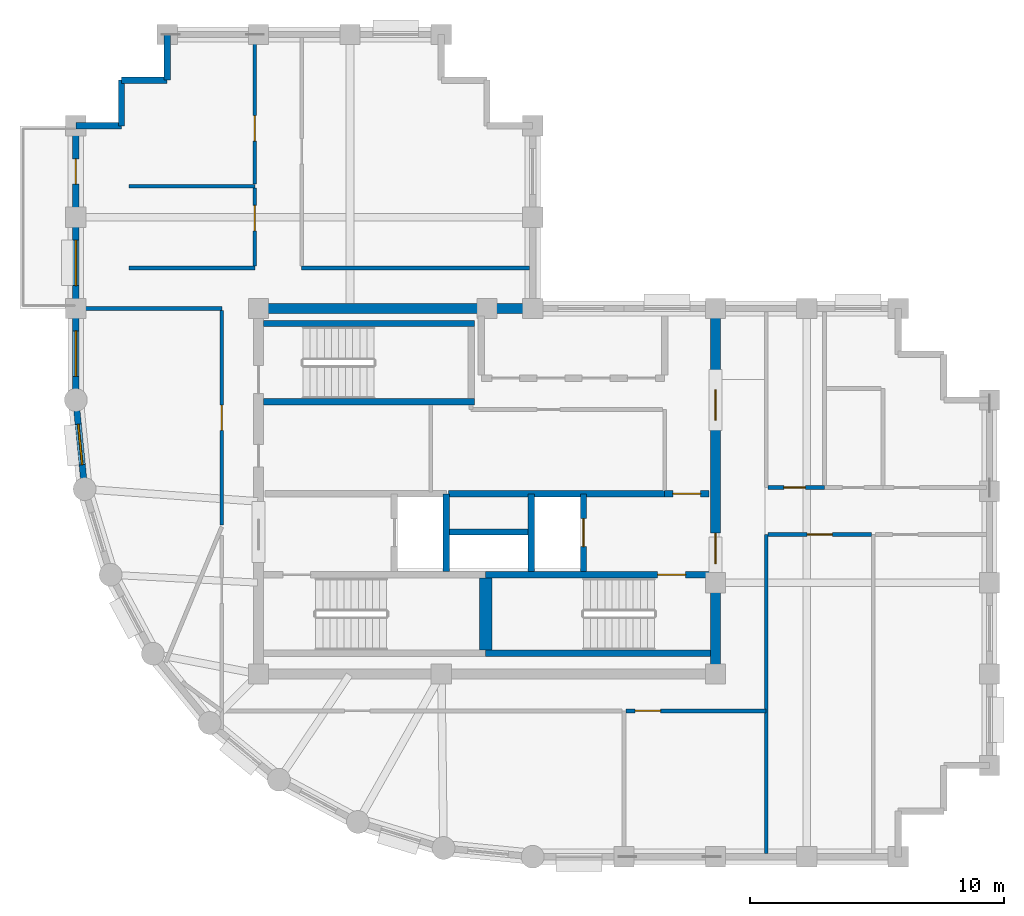
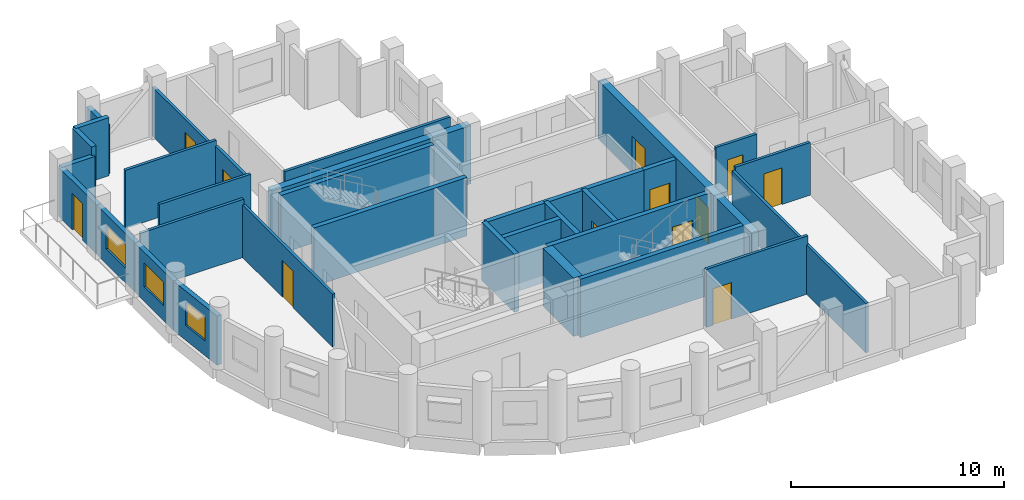
# One storey, part 3 of 7: 32 walls, 12 doors, 3 windows, 15 openings.
"""IFC4 building model written with IfcOpenShell, lengths in metres."""

from ifc_helpers import new_model, si_unit, direction, frame, frame_2d, origin, place, context, subcontext, project, spatial, rectangle, extrude, material, layer, layer_set, type_object, element, fill, save


model = new_model("IFC4")

# Units and contexts
model_context = context("Model", 3, precision=1e-05, world=origin(), true_north=direction((0.0, 1.0)))
body_context = subcontext(model_context, "Body", "Model", "MODEL_VIEW")
ifc_project = project(units=[si_unit("LENGTHUNIT", "METRE"), si_unit("AREAUNIT", "SQUARE_METRE"), si_unit("VOLUMEUNIT", "CUBIC_METRE"), si_unit("PLANEANGLEUNIT", "RADIAN"), si_unit("MASSUNIT", "GRAM", prefix="KILO")], contexts=[model_context])

# Site, building, storey
site_placement = place(None, origin())
site = spatial("IfcSite", under=ifc_project, at=site_placement, CompositionType="ELEMENT")
building_placement = place(site_placement, origin())
building = spatial("IfcBuilding", under=site, at=building_placement, Name="Solnavia Interchange Tower", CompositionType="ELEMENT")
storey_placement = place(building_placement, frame((0.0, 0.0, 266.60009765625)))
storey = spatial("IfcBuildingStorey", under=building, at=storey_placement, Name="L67", CompositionType="ELEMENT", Elevation=266.60009765625)

# Walls
ifc_material_1 = material(Name="Concrete C40/50", Category="concrete")
ifc_layer_1 = layer(ifc_material_1, 0.25)
ifc_layer_set_1 = layer_set([ifc_layer_1], Name="Concrete C40/50")
wall_type_1 = type_object("IfcWallType", Name="Wall-ExtSpandrel-250", PredefinedType="STANDARD", material=ifc_layer_set_1)
wall_1_placement = place(storey_placement, frame((10.800048828125, 34.199951171875, 0.0), z_axis=(0.0, 0.0, 1.0), x_axis=(0.0, 1.0, 0.0)))
element("IfcWall", 1, at=wall_1_placement, inside=storey, type_object=wall_type_1, Name="EXW-L67-30 Exterior precast spandrel wall", PredefinedType="STANDARD", context=body_context, shape_type="SweptSolid", body=[
    extrude(rectangle(XDim=1.800048828125, YDim=0.25, at=frame_2d((0.89990234375, 0.0))), origin(), (0.0, 0.0, 1.0), 2.829833984375),
])
for number, where, z_axis, x_axis, name in (
    (2, (9.0, 34.199951171875, 0.0), (0.0, 0.0, 1.0), (1.0, 0.0, 0.0), "EXW-L67-31 Exterior precast spandrel wall"),
    (3, (9.0, 32.39990234375, 0.0), (0.0, 0.0, 1.0), (0.0, 1.0, 0.0), "EXW-L67-32 Exterior precast spandrel wall"),
):
    element("IfcWall", number, at=place(storey_placement, frame(where, z_axis=z_axis, x_axis=x_axis)), inside=storey, type_object=wall_type_1, Name=name, PredefinedType="STANDARD", context=body_context, shape_type="SweptSolid", body=[
        extrude(rectangle(XDim=1.800048828125, YDim=0.25, at=frame_2d((0.89990234375, 0.0))), origin(), (0.0, 0.0, 1.0), 3.3349609375),
    ])
wall_2_placement = place(storey_placement, frame((7.199951171875, 32.39990234375, 0.0), z_axis=(0.0, 0.0, 1.0), x_axis=(1.0, 0.0, 0.0)))
element("IfcWall", 4, at=wall_2_placement, inside=storey, type_object=wall_type_1, Name="EXW-L67-33 Exterior precast spandrel wall", PredefinedType="STANDARD", context=body_context, shape_type="SweptSolid", body=[
    extrude(rectangle(XDim=1.800048828125, YDim=0.25, at=frame_2d((0.89990234375, 0.0))), origin(), (0.0, 0.0, 1.0), 2.829833984375),
])

# Wall, opening, door
wall_3_placement = place(storey_placement, frame((7.199951171875, 28.800048828125, 0.0), z_axis=(0.0, 0.0, 1.0), x_axis=(0.0, 1.0, 0.0)))
wall_3 = element("IfcWall", 5, at=wall_3_placement, inside=storey, type_object=wall_type_1, Name="EXW-L67-34 Exterior precast spandrel wall", PredefinedType="STANDARD", context=body_context, shape_type="SweptSolid", body=[
    extrude(rectangle(XDim=3.599853515625, YDim=0.25, at=frame_2d((1.7998046875, 0.0))), origin(), (0.0, 0.0, 1.0), 2.829833984375),
])
opening_1_placement = place(wall_3_placement, frame((1.300048828125, 0.0, 0.0)))
opening_1 = element("IfcOpeningElement", 6, at=opening_1_placement, cuts=wall_3, Name="Opening EXD-05", PredefinedType="OPENING", context=body_context, shape_type="SweptSolid", body=[
    extrude(rectangle(XDim=1.0, YDim=2.10009765625, at=frame_2d((0.5, 1.050048828125))), frame((0.0, 0.135009765625, 0.0), z_axis=(0.0, -1.0, 0.0), x_axis=(1.0, 0.0, 0.0)), (0.0, 0.0, 1.0), 0.27001953125),
])
ifc_material_2 = material(Name="Thermally Broken Aluminium & Laminated Glass", Category="aluminium")
door_type_1 = type_object("IfcDoorType", Name="Door-TerraceSingle-1000x2100", OperationType="SINGLE_SWING_LEFT", PredefinedType="DOOR", material=ifc_material_2)
door_1_placement = place(opening_1_placement, origin())
door_1 = element("IfcDoor", 7, at=door_1_placement, inside=storey, type_object=door_type_1, Name="EXD-L67-TER Spiral terrace glazed door", OperationType="SINGLE_SWING_LEFT", OverallHeight=2.10009765625, OverallWidth=1.0, PredefinedType="DOOR", context=body_context, shape_type="SweptSolid", body=[
    extrude(rectangle(XDim=1.0, YDim=2.10009765625, at=frame_2d((0.5, 1.050048828125))), frame((0.0, 0.02490234375, 0.0), z_axis=(0.0, -1.0, 0.0), x_axis=(1.0, 0.0, 0.0)), (0.0, 0.0, 1.0), 0.050048828125),
])
fill(opening_1, door_1)

# Wall, opening, window
wall_4_placement = place(storey_placement, frame((7.199951171875, 25.199951171875, 0.0), z_axis=(0.0, 0.0, 1.0), x_axis=(0.0, 1.0, 0.0)))
wall_4 = element("IfcWall", 8, at=wall_4_placement, inside=storey, type_object=wall_type_1, Name="EXW-L67-35 Exterior precast spandrel wall", PredefinedType="STANDARD", context=body_context, shape_type="SweptSolid", body=[
    extrude(rectangle(XDim=3.60009765625, YDim=0.25, at=frame_2d((1.800048828125, 0.0))), origin(), (0.0, 0.0, 1.0), 2.829833984375),
])
opening_2_placement = place(wall_4_placement, frame((0.89990234375, 0.0, 0.85009765625)))
opening_2 = element("IfcOpeningElement", 9, at=opening_2_placement, cuts=wall_4, Name="Opening WIN-02", PredefinedType="OPENING", context=body_context, shape_type="SweptSolid", body=[
    extrude(rectangle(XDim=1.800048828125, YDim=1.35009765625, at=frame_2d((0.89990234375, 0.675048828125))), frame((0.0, 0.135009765625, 0.0), z_axis=(0.0, -1.0, 0.0), x_axis=(1.0, 0.0, 0.0)), (0.0, 0.0, 1.0), 0.27001953125),
])
ifc_material_3 = material(Name="Thermal-Break Aluminium & Low-E Glass", Category="aluminium")
window_type_1 = type_object("IfcWindowType", Name="Window-Ribbon-1800x1350", PartitioningType="SINGLE_PANEL", PredefinedType="WINDOW", material=ifc_material_3)
window_1_placement = place(opening_2_placement, origin())
window_1 = element("IfcWindow", 10, at=window_1_placement, inside=storey, type_object=window_type_1, Name="WIN-L67-35 Facade ribbon window", OverallHeight=1.35009765625, OverallWidth=1.800048828125, PartitioningType="SINGLE_PANEL", PredefinedType="WINDOW", context=body_context, shape_type="SweptSolid", body=[
    extrude(rectangle(XDim=1.800048828125, YDim=1.35009765625, at=frame_2d((0.89990234375, 0.675048828125))), frame((0.0, 0.030029296875, 0.0), z_axis=(0.0, -1.0, 0.0), x_axis=(1.0, 0.0, 0.0)), (0.0, 0.0, 1.0), 0.06005859375),
])
fill(opening_2, window_1)

wall_5_placement = place(storey_placement, frame((7.199951171875, 21.60009765625, 0.0), z_axis=(0.0, 0.0, 1.0), x_axis=(0.0, 1.0, 0.0)))
wall_5 = element("IfcWall", 11, at=wall_5_placement, inside=storey, type_object=wall_type_1, Name="EXW-L67-36 Exterior precast spandrel wall", PredefinedType="STANDARD", context=body_context, shape_type="SweptSolid", body=[
    extrude(rectangle(XDim=3.599853515625, YDim=0.25, at=frame_2d((1.7998046875, 0.0))), origin(), (0.0, 0.0, 1.0), 2.829833984375),
])
opening_3_placement = place(wall_5_placement, frame((0.925048828125, 0.0, 0.85009765625)))
opening_3 = element("IfcOpeningElement", 12, at=opening_3_placement, cuts=wall_5, Name="Opening WIN-02", PredefinedType="OPENING", context=body_context, shape_type="SweptSolid", body=[
    extrude(rectangle(XDim=1.800048828125, YDim=1.35009765625, at=frame_2d((0.89990234375, 0.675048828125))), frame((0.0, 0.135009765625, 0.0), z_axis=(0.0, -1.0, 0.0), x_axis=(1.0, 0.0, 0.0)), (0.0, 0.0, 1.0), 0.27001953125),
])
window_2_placement = place(opening_3_placement, origin())
window_2 = element("IfcWindow", 13, at=window_2_placement, inside=storey, type_object=window_type_1, Name="WIN-L67-36 Facade ribbon window", OverallHeight=1.35009765625, OverallWidth=1.800048828125, PartitioningType="SINGLE_PANEL", PredefinedType="WINDOW", context=body_context, shape_type="SweptSolid", body=[
    extrude(rectangle(XDim=1.800048828125, YDim=1.35009765625, at=frame_2d((0.89990234375, 0.675048828125))), frame((0.0, 0.030029296875, 0.0), z_axis=(0.0, -1.0, 0.0), x_axis=(1.0, 0.0, 0.0)), (0.0, 0.0, 1.0), 0.06005859375),
])
fill(opening_3, window_2)

wall_6_placement = place(storey_placement, frame((7.5458984375, 18.087890625, 0.0), z_axis=(0.0, 0.0, 1.0), x_axis=(-0.09802417461, 0.995184033831, 0.0)))
wall_6 = element("IfcWall", 14, at=wall_6_placement, inside=storey, type_object=wall_type_1, Name="EXW-L67-37 Exterior precast spandrel wall", PredefinedType="STANDARD", context=body_context, shape_type="SweptSolid", body=[
    extrude(rectangle(XDim=3.529296875, YDim=0.25, at=frame_2d((1.7646484375, 0.0))), origin(), (0.0, 0.0, 1.0), 2.829833984375),
])
opening_4_placement = place(wall_6_placement, frame((0.965087890625, 0.0, 0.85009765625)))
opening_4 = element("IfcOpeningElement", 15, at=opening_4_placement, cuts=wall_6, Name="Opening WIN-04", PredefinedType="OPENING", context=body_context, shape_type="SweptSolid", body=[
    extrude(rectangle(XDim=1.60009765625, YDim=1.35009765625, at=frame_2d((0.800048828125, 0.675048828125))), frame((0.0, 0.135009765625, 0.0), z_axis=(0.0, -1.0, 0.0), x_axis=(1.0, 0.0, 0.0)), (0.0, 0.0, 1.0), 0.27001953125),
])
window_type_2 = type_object("IfcWindowType", Name="Window-Drum-1600x1350", PartitioningType="SINGLE_PANEL", PredefinedType="WINDOW", material=ifc_material_3)
window_3_placement = place(opening_4_placement, origin())
window_3 = element("IfcWindow", 16, at=window_3_placement, inside=storey, type_object=window_type_2, Name="WIN-L67-37 Facade ribbon window", OverallHeight=1.35009765625, OverallWidth=1.60009765625, PartitioningType="SINGLE_PANEL", PredefinedType="WINDOW", context=body_context, shape_type="SweptSolid", body=[
    extrude(rectangle(XDim=1.60009765625, YDim=1.35009765625, at=frame_2d((0.800048828125, 0.675048828125))), frame((0.0, 0.030029296875, 0.0), z_axis=(0.0, -1.0, 0.0), x_axis=(1.0, 0.0, 0.0)), (0.0, 0.0, 1.0), 0.06005859375),
])
fill(opening_4, window_3)

# Wall
ifc_material_4 = material(Name="Gypsum Plasterboard & Steel Stud", Category="steel")
ifc_layer_2 = layer(ifc_material_4, 0.14990234375)
ifc_layer_set_2 = layer_set([ifc_layer_2], Name="Gypsum Plasterboard & Steel Stud")
wall_type_2 = type_object("IfcWallType", Name="Wall-Partition-150", PredefinedType="PARTITIONING", material=ifc_layer_set_2)
wall_7_placement = place(storey_placement, frame((7.3291015625, 25.199951171875, 0.0), z_axis=(0.0, 0.0, 1.0), x_axis=(1.0, 0.0, 0.0)))
element("IfcWall", 17, at=wall_7_placement, inside=storey, type_object=wall_type_2, Name="PTW-L67-07 Interior partition wall", PredefinedType="PARTITIONING", context=body_context, shape_type="SweptSolid", body=[
    extrude(rectangle(XDim=5.620849609375, YDim=0.14990234375, at=frame_2d((2.810546875, 0.0))), origin(), (0.0, 0.0, 1.0), 3.3349609375),
])

# Wall, opening, door
wall_8_placement = place(storey_placement, frame((12.949951171875, 16.678955078125, 0.0), z_axis=(0.0, 0.0, 1.0), x_axis=(0.0, 1.0, 0.0)))
wall_8 = element("IfcWall", 18, at=wall_8_placement, inside=storey, type_object=wall_type_2, Name="PTW-L67-11 Interior partition wall", PredefinedType="PARTITIONING", context=body_context, shape_type="SweptSolid", body=[
    extrude(rectangle(XDim=8.442138671875, YDim=0.14990234375, at=frame_2d((4.22119140625, 0.0))), origin(), (0.0, 0.0, 1.0), 3.02001953125),
])
opening_5_placement = place(wall_8_placement, frame((3.720947265625, 0.0, 0.0)))
opening_5 = element("IfcOpeningElement", 19, at=opening_5_placement, cuts=wall_8, Name="Opening DR-07", PredefinedType="OPENING", context=body_context, shape_type="SweptSolid", body=[
    extrude(rectangle(XDim=1.0, YDim=2.10009765625, at=frame_2d((0.5, 1.050048828125))), frame((0.0, 0.0849609375, 0.0), z_axis=(0.0, -1.0, 0.0), x_axis=(1.0, 0.0, 0.0)), (0.0, 0.0, 1.0), 0.169921875),
])
ifc_material_5 = material(Name="Timber & Acoustic Glazed Office Door", Category="wood")
door_type_2 = type_object("IfcDoorType", Name="Door-Office-1000x2100", OperationType="SINGLE_SWING_RIGHT", PredefinedType="DOOR", material=ifc_material_5)
door_2_placement = place(opening_5_placement, origin())
door_2 = element("IfcDoor", 20, at=door_2_placement, inside=storey, type_object=door_type_2, Name="DR-L67-03 Interior room door", OperationType="SINGLE_SWING_LEFT", OverallHeight=2.10009765625, OverallWidth=1.0, PredefinedType="DOOR", context=body_context, shape_type="SweptSolid", body=[
    extrude(rectangle(XDim=1.0, YDim=2.10009765625, at=frame_2d((0.5, 1.050048828125))), frame((0.0, 0.02490234375, 0.0), z_axis=(0.0, -1.0, 0.0), x_axis=(1.0, 0.0, 0.0)), (0.0, 0.0, 1.0), 0.050048828125),
])
fill(opening_5, door_2)

wall_9_placement = place(storey_placement, frame((28.87890625, 9.35009765625, 0.0), z_axis=(0.0, 0.0, 1.0), x_axis=(1.0, 0.0, 0.0)))
wall_9 = element("IfcWall", 21, at=wall_9_placement, inside=storey, type_object=wall_type_2, Name="PTW-L67-14 Interior partition wall", PredefinedType="PARTITIONING", context=body_context, shape_type="SweptSolid", body=[
    extrude(rectangle(XDim=5.52099609375, YDim=0.14990234375, at=frame_2d((2.760498046875, 0.0))), origin(), (0.0, 0.0, 1.0), 3.3349609375),
])
opening_6_placement = place(wall_9_placement, frame((0.360107421875, 0.0, 0.0)))
opening_6 = element("IfcOpeningElement", 22, at=opening_6_placement, cuts=wall_9, Name="Opening DR-07", PredefinedType="OPENING", context=body_context, shape_type="SweptSolid", body=[
    extrude(rectangle(XDim=1.0, YDim=2.10009765625, at=frame_2d((0.5, 1.050048828125))), frame((0.0, 0.0849609375, 0.0), z_axis=(0.0, -1.0, 0.0), x_axis=(1.0, 0.0, 0.0)), (0.0, 0.0, 1.0), 0.169921875),
])
door_3_placement = place(opening_6_placement, origin())
door_3 = element("IfcDoor", 23, at=door_3_placement, inside=storey, type_object=door_type_2, Name="DR-L67-06 Interior room door", OperationType="SINGLE_SWING_LEFT", OverallHeight=2.10009765625, OverallWidth=1.0, PredefinedType="DOOR", context=body_context, shape_type="SweptSolid", body=[
    extrude(rectangle(XDim=1.0, YDim=2.10009765625, at=frame_2d((0.5, 1.050048828125))), frame((0.0, 0.02490234375, 0.0), z_axis=(0.0, -1.0, 0.0), x_axis=(1.0, 0.0, 0.0)), (0.0, 0.0, 1.0), 0.050048828125),
])
fill(opening_6, door_3)

# Wall
wall_10_placement = place(storey_placement, frame((34.39990234375, 3.72900390625, 0.0), z_axis=(0.0, 0.0, 1.0), x_axis=(0.0, 1.0, 0.0)))
element("IfcWall", 24, at=wall_10_placement, inside=storey, type_object=wall_type_2, Name="PTW-L67-15 Interior partition wall", PredefinedType="PARTITIONING", context=body_context, shape_type="SweptSolid", body=[
    extrude(rectangle(XDim=12.571044921875, YDim=0.14990234375, at=frame_2d((6.28564453125, 0.0))), origin(), (0.0, 0.0, 1.0), 2.829833984375),
])

# Wall, opening, door
wall_11_placement = place(storey_placement, frame((34.47900390625, 16.300048828125, 0.0), z_axis=(0.0, 0.0, 1.0), x_axis=(1.0, 0.0, 0.0)))
wall_11 = element("IfcWall", 25, at=wall_11_placement, inside=storey, type_object=wall_type_2, Name="PTW-L67-17 Interior partition wall", PredefinedType="PARTITIONING", context=body_context, shape_type="SweptSolid", body=[
    extrude(rectangle(XDim=4.06201171875, YDim=0.14990234375, at=frame_2d((2.031005859375, 0.0))), origin(), (0.0, 0.0, 1.0), 3.02001953125),
])
opening_7_placement = place(wall_11_placement, frame((1.531005859375, 0.0, 0.0)))
opening_7 = element("IfcOpeningElement", 26, at=opening_7_placement, cuts=wall_11, Name="Opening DR-07", PredefinedType="OPENING", context=body_context, shape_type="SweptSolid", body=[
    extrude(rectangle(XDim=1.0, YDim=2.10009765625, at=frame_2d((0.5, 1.050048828125))), frame((0.0, 0.0849609375, 0.0), z_axis=(0.0, -1.0, 0.0), x_axis=(1.0, 0.0, 0.0)), (0.0, 0.0, 1.0), 0.169921875),
])
door_4_placement = place(opening_7_placement, origin())
door_4 = element("IfcDoor", 27, at=door_4_placement, inside=storey, type_object=door_type_2, Name="DR-L67-07 Interior room door", OperationType="SINGLE_SWING_LEFT", OverallHeight=2.10009765625, OverallWidth=1.0, PredefinedType="DOOR", context=body_context, shape_type="SweptSolid", body=[
    extrude(rectangle(XDim=1.0, YDim=2.10009765625, at=frame_2d((0.5, 1.050048828125))), frame((0.0, 0.02490234375, 0.0), z_axis=(0.0, -1.0, 0.0), x_axis=(1.0, 0.0, 0.0)), (0.0, 0.0, 1.0), 0.050048828125),
])
fill(opening_7, door_4)

# Walls
for number, where, z_axis, x_axis, name in (
    (28, (9.300048828125, 26.800048828125, 0.0), (0.0, 0.0, 1.0), (1.0, 0.0, 0.0), "PTW-L67-20 Interior partition wall"),
    (29, (9.300048828125, 30.02001953125, 0.0), (0.0, 0.0, 1.0), (1.0, 0.0, 0.0), "PTW-L67-21 Interior partition wall"),
):
    element("IfcWall", number, at=place(storey_placement, frame(where, z_axis=z_axis, x_axis=x_axis)), inside=storey, type_object=wall_type_2, Name=name, PredefinedType="PARTITIONING", context=body_context, shape_type="SweptSolid", body=[
        extrude(rectangle(XDim=4.949951171875, YDim=0.14990234375, at=frame_2d((2.47509765625, 0.0))), origin(), (0.0, 0.0, 1.0), 3.3349609375),
    ])

# Wall, opening, door
wall_12_placement = place(storey_placement, frame((14.25, 26.87890625, 0.0), z_axis=(0.0, 0.0, 1.0), x_axis=(0.0, 1.0, 0.0)))
wall_12 = element("IfcWall", 30, at=wall_12_placement, inside=storey, type_object=wall_type_2, Name="PTW-L67-22 Interior partition wall", PredefinedType="PARTITIONING", context=body_context, shape_type="SweptSolid", body=[
    extrude(rectangle(XDim=3.06201171875, YDim=0.14990234375, at=frame_2d((1.531005859375, 0.0))), origin(), (0.0, 0.0, 1.0), 3.02978515625),
])
opening_8_placement = place(wall_12_placement, frame((1.385986328125, 0.0, 0.0)))
opening_8 = element("IfcOpeningElement", 31, at=opening_8_placement, cuts=wall_12, Name="Opening DR-07", PredefinedType="OPENING", context=body_context, shape_type="SweptSolid", body=[
    extrude(rectangle(XDim=1.0, YDim=2.10009765625, at=frame_2d((0.5, 1.050048828125))), frame((0.0, 0.0849609375, 0.0), z_axis=(0.0, -1.0, 0.0), x_axis=(1.0, 0.0, 0.0)), (0.0, 0.0, 1.0), 0.169921875),
])
door_5_placement = place(opening_8_placement, origin())
door_5 = element("IfcDoor", 32, at=door_5_placement, inside=storey, type_object=door_type_2, Name="DR-L67-10 Interior room door", OperationType="SINGLE_SWING_RIGHT", OverallHeight=2.10009765625, OverallWidth=1.0, PredefinedType="DOOR", context=body_context, shape_type="SweptSolid", body=[
    extrude(rectangle(XDim=1.0, YDim=2.10009765625, at=frame_2d((0.5, 1.050048828125))), frame((0.0, 0.02490234375, 0.0), z_axis=(0.0, -1.0, 0.0), x_axis=(1.0, 0.0, 0.0)), (0.0, 0.0, 1.0), 0.050048828125),
])
fill(opening_8, door_5)

wall_13_placement = place(storey_placement, frame((14.25, 30.09912109375, 0.0), z_axis=(0.0, 0.0, 1.0), x_axis=(0.0, 1.0, 0.0)))
wall_13 = element("IfcWall", 33, at=wall_13_placement, inside=storey, type_object=wall_type_2, Name="PTW-L67-23 Interior partition wall", PredefinedType="PARTITIONING", context=body_context, shape_type="SweptSolid", body=[
    extrude(rectangle(XDim=5.77197265625, YDim=0.14990234375, at=frame_2d((2.885986328125, 0.0))), origin(), (0.0, 0.0, 1.0), 2.829833984375),
])
opening_9_placement = place(wall_13_placement, frame((1.700927734375, 0.0, 0.0)))
opening_9 = element("IfcOpeningElement", 34, at=opening_9_placement, cuts=wall_13, Name="Opening DR-07", PredefinedType="OPENING", context=body_context, shape_type="SweptSolid", body=[
    extrude(rectangle(XDim=1.0, YDim=2.10009765625, at=frame_2d((0.5, 1.050048828125))), frame((0.0, 0.0849609375, 0.0), z_axis=(0.0, -1.0, 0.0), x_axis=(1.0, 0.0, 0.0)), (0.0, 0.0, 1.0), 0.169921875),
])
door_6_placement = place(opening_9_placement, origin())
door_6 = element("IfcDoor", 35, at=door_6_placement, inside=storey, type_object=door_type_2, Name="DR-L67-11 Interior room door", OperationType="SINGLE_SWING_RIGHT", OverallHeight=2.10009765625, OverallWidth=1.0, PredefinedType="DOOR", context=body_context, shape_type="SweptSolid", body=[
    extrude(rectangle(XDim=1.0, YDim=2.10009765625, at=frame_2d((0.5, 1.050048828125))), frame((0.0, 0.02490234375, 0.0), z_axis=(0.0, -1.0, 0.0), x_axis=(1.0, 0.0, 0.0)), (0.0, 0.0, 1.0), 0.050048828125),
])
fill(opening_9, door_6)

# Walls
wall_14_placement = place(storey_placement, frame((16.10009765625, 26.800048828125, 0.0), z_axis=(0.0, 0.0, 1.0), x_axis=(1.0, 0.0, 0.0)))
element("IfcWall", 36, at=wall_14_placement, inside=storey, type_object=wall_type_2, Name="PTW-L67-24 Interior partition wall", PredefinedType="PARTITIONING", context=body_context, shape_type="SweptSolid", body=[
    extrude(rectangle(XDim=8.970947265625, YDim=0.14990234375, at=frame_2d((4.4853515625, 0.0))), origin(), (0.0, 0.0, 1.0), 2.829833984375),
])
ifc_layer_3 = layer(ifc_material_1, 0.25)
ifc_layer_set_3 = layer_set([ifc_layer_3], Name="Concrete C40/50")
wall_type_3 = type_object("IfcWallType", Name="Wall-ShaftCore-250", PredefinedType="SHEAR", material=ifc_layer_set_3)
wall_15_placement = place(storey_placement, frame((23.35009765625, 11.625, 0.0), z_axis=(0.0, 0.0, 1.0), x_axis=(1.0, 0.0, 0.0)))
element("IfcWall", 37, at=wall_15_placement, inside=storey, type_object=wall_type_3, Name="SHW-L67-ST2S Core shear wall", PredefinedType="SHEAR", context=body_context, shape_type="SweptSolid", body=[
    extrude(rectangle(XDim=8.849853515625, YDim=0.25, at=frame_2d((4.4248046875, 0.0))), origin(), (0.0, 0.0, 1.0), 3.349853515625),
])

# Wall, opening, door
wall_16_placement = place(storey_placement, frame((23.35009765625, 14.715087890625, 0.0), z_axis=(0.0, 0.0, 1.0), x_axis=(1.0, 0.0, 0.0)))
wall_16 = element("IfcWall", 38, at=wall_16_placement, inside=storey, type_object=wall_type_3, Name="SHW-L67-ST2N Core shear wall", PredefinedType="SHEAR", context=body_context, shape_type="SweptSolid", body=[
    extrude(rectangle(XDim=8.849853515625, YDim=0.25, at=frame_2d((4.4248046875, 0.0))), origin(), (0.0, 0.0, 1.0), 3.349853515625),
])
opening_10_placement = place(wall_16_placement, frame((6.77490234375, 0.0, 0.0)))
opening_10 = element("IfcOpeningElement", 39, at=opening_10_placement, cuts=wall_16, Name="Opening DR-01", PredefinedType="OPENING", context=body_context, shape_type="SweptSolid", body=[
    extrude(rectangle(XDim=1.10009765625, YDim=2.10009765625, at=frame_2d((0.550048828125, 1.050048828125))), frame((0.0, 0.135009765625, 0.0), z_axis=(0.0, -1.0, 0.0), x_axis=(1.0, 0.0, 0.0)), (0.0, 0.0, 1.0), 0.27001953125),
])
ifc_material_6 = material(Name="Steel Fire-Rated Leaf & Frame", Category="steel")
door_type_3 = type_object("IfcDoorType", Name="Door-StairFire-1100x2100", OperationType="SINGLE_SWING_LEFT", PredefinedType="DOOR", material=ifc_material_6)
door_7_placement = place(opening_10_placement, origin())
door_7 = element("IfcDoor", 40, at=door_7_placement, inside=storey, type_object=door_type_3, Name="DR-L67-ST2 Core fire door", OperationType="SINGLE_SWING_LEFT", OverallHeight=2.10009765625, OverallWidth=1.10009765625, PredefinedType="DOOR", context=body_context, shape_type="SweptSolid", body=[
    extrude(rectangle(XDim=1.10009765625, YDim=2.10009765625, at=frame_2d((0.550048828125, 1.050048828125))), frame((0.0, 0.02490234375, 0.0), z_axis=(0.0, -1.0, 0.0), x_axis=(1.0, 0.0, 0.0)), (0.0, 0.0, 1.0), 0.050048828125),
])
fill(opening_10, door_7)

# Walls
for number, where, z_axis, x_axis, name in (
    (41, (14.60009765625, 21.52490234375, 0.0), (0.0, 0.0, 1.0), (1.0, 0.0, 0.0), "SHW-L67-ST3S Core shear wall"),
    (42, (14.60009765625, 24.614990234375, 0.0), (0.0, 0.0, 1.0), (1.0, 0.0, 0.0), "SHW-L67-ST3N Core shear wall"),
):
    element("IfcWall", number, at=place(storey_placement, frame(where, z_axis=z_axis, x_axis=x_axis)), inside=storey, type_object=wall_type_3, Name=name, PredefinedType="SHEAR", context=body_context, shape_type="SweptSolid", body=[
        extrude(rectangle(XDim=8.2998046875, YDim=0.25, at=frame_2d((4.14990234375, 0.0))), origin(), (0.0, 0.0, 1.0), 3.349853515625),
    ])
ifc_layer_4 = layer(ifc_material_1, 0.25)
ifc_layer_set_4 = layer_set([ifc_layer_4], Name="Concrete C40/50")
wall_type_4 = type_object("IfcWallType", Name="Wall-ShaftPart-250", PredefinedType="PARTITIONING", material=ifc_layer_set_4)
wall_17_placement = place(storey_placement, frame((21.800048828125, 14.840087890625, 0.0), z_axis=(0.0, 0.0, 1.0), x_axis=(0.0, 1.0, 0.0)))
element("IfcWall", 43, at=wall_17_placement, inside=storey, type_object=wall_type_4, Name="SHW-L67-FFL1-E Core shaft wall", PredefinedType="PARTITIONING", context=body_context, shape_type="SweptSolid", body=[
    extrude(rectangle(XDim=3.059814453125, YDim=0.25, at=frame_2d((1.52978515625, 0.0))), origin(), (0.0, 0.0, 1.0), 3.3349609375),
])
wall_18_placement = place(storey_placement, frame((21.8798828125, 17.89990234375, 0.0), z_axis=(0.0, 0.0, 1.0), x_axis=(1.0, 0.0, 0.0)))
element("IfcWall", 44, at=wall_18_placement, inside=storey, type_object=wall_type_4, Name="SHW-L67-FFLE-N1 Core shaft wall", PredefinedType="PARTITIONING", context=body_context, shape_type="SweptSolid", body=[
    extrude(rectangle(XDim=8.52001953125, YDim=0.25, at=frame_2d((4.260009765625, 0.0))), origin(), (0.0, 0.0, 1.0), 3.3349609375),
])

# Wall, opening, door
wall_19_placement = place(storey_placement, frame((30.39990234375, 17.89990234375, 0.0), z_axis=(0.0, 0.0, 1.0), x_axis=(1.0, 0.0, 0.0)))
wall_19 = element("IfcWall", 45, at=wall_19_placement, inside=storey, type_object=wall_type_4, Name="SHW-L67-FFLE-N2 Core shaft wall", PredefinedType="PARTITIONING", context=body_context, shape_type="SweptSolid", body=[
    extrude(rectangle(XDim=1.75, YDim=0.25, at=frame_2d((0.875, 0.0))), origin(), (0.0, 0.0, 1.0), 3.3349609375),
])
opening_11_placement = place(wall_19_placement, frame((0.320068359375, 0.0, 0.0)))
opening_11 = element("IfcOpeningElement", 46, at=opening_11_placement, cuts=wall_19, Name="Opening DR-01", PredefinedType="OPENING", context=body_context, shape_type="SweptSolid", body=[
    extrude(rectangle(XDim=1.10009765625, YDim=2.10009765625, at=frame_2d((0.550048828125, 1.050048828125))), frame((0.0, 0.135009765625, 0.0), z_axis=(0.0, -1.0, 0.0), x_axis=(1.0, 0.0, 0.0)), (0.0, 0.0, 1.0), 0.27001953125),
])
door_8_placement = place(opening_11_placement, origin())
door_8 = element("IfcDoor", 47, at=door_8_placement, inside=storey, type_object=door_type_3, Name="DR-L67-LLC Core fire door", OperationType="SINGLE_SWING_LEFT", OverallHeight=2.10009765625, OverallWidth=1.10009765625, PredefinedType="DOOR", context=body_context, shape_type="SweptSolid", body=[
    extrude(rectangle(XDim=1.10009765625, YDim=2.10009765625, at=frame_2d((0.550048828125, 1.050048828125))), frame((0.0, 0.02490234375, 0.0), z_axis=(0.0, -1.0, 0.0), x_axis=(1.0, 0.0, 0.0)), (0.0, 0.0, 1.0), 0.050048828125),
])
fill(opening_11, door_8)

# Wall
wall_20_placement = place(storey_placement, frame((25.14990234375, 14.840087890625, 0.0), z_axis=(0.0, 0.0, 1.0), x_axis=(0.0, 1.0, 0.0)))
element("IfcWall", 48, at=wall_20_placement, inside=storey, type_object=wall_type_4, Name="SHW-L67-FFL2-W Core shaft wall", PredefinedType="PARTITIONING", context=body_context, shape_type="SweptSolid", body=[
    extrude(rectangle(XDim=3.059814453125, YDim=0.25, at=frame_2d((1.52978515625, 0.0))), origin(), (0.0, 0.0, 1.0), 3.3349609375),
])

# Wall, opening, door
wall_21_placement = place(storey_placement, frame((27.199951171875, 14.840087890625, 0.0), z_axis=(0.0, 0.0, 1.0), x_axis=(0.0, 1.0, 0.0)))
wall_21 = element("IfcWall", 49, at=wall_21_placement, inside=storey, type_object=wall_type_4, Name="SHW-L67-FFL2-E Core shaft wall", PredefinedType="PARTITIONING", context=body_context, shape_type="SweptSolid", body=[
    extrude(rectangle(XDim=3.059814453125, YDim=0.25, at=frame_2d((1.52978515625, 0.0))), origin(), (0.0, 0.0, 1.0), 3.3349609375),
])
opening_12_placement = place(wall_21_placement, frame((0.97998046875, 0.0, 0.0)))
opening_12 = element("IfcOpeningElement", 50, at=opening_12_placement, cuts=wall_21, Name="Opening LD-01", PredefinedType="OPENING", context=body_context, shape_type="SweptSolid", body=[
    extrude(rectangle(XDim=1.10009765625, YDim=2.10009765625, at=frame_2d((0.550048828125, 1.050048828125))), frame((0.0, 0.135009765625, 0.0), z_axis=(0.0, -1.0, 0.0), x_axis=(1.0, 0.0, 0.0)), (0.0, 0.0, 1.0), 0.27001953125),
])
ifc_material_7 = material(Name="Brushed Stainless Steel Sliding Door", Category="steel")
door_type_4 = type_object("IfcDoorType", Name="Door-LiftLanding-1100x2100", OperationType="SLIDING_TO_LEFT", PredefinedType="DOOR", material=ifc_material_7)
door_9_placement = place(opening_12_placement, origin())
door_9 = element("IfcDoor", 51, at=door_9_placement, inside=storey, type_object=door_type_4, Name="LD-L67-FFL2 Lift landing sliding door", OperationType="SLIDING_TO_LEFT", OverallHeight=2.10009765625, OverallWidth=1.10009765625, PredefinedType="DOOR", context=body_context, shape_type="SweptSolid", body=[
    extrude(rectangle(XDim=1.10009765625, YDim=2.10009765625, at=frame_2d((0.550048828125, 1.050048828125))), frame((0.0, 0.02490234375, 0.0), z_axis=(0.0, -1.0, 0.0), x_axis=(1.0, 0.0, 0.0)), (0.0, 0.0, 1.0), 0.050048828125),
])
fill(opening_12, door_9)

# Walls
wall_22_placement = place(storey_placement, frame((21.800048828125, 16.39990234375, 0.0), z_axis=(0.0, 0.0, 1.0), x_axis=(1.0, 0.0, 0.0)))
element("IfcWall", 52, at=wall_22_placement, inside=storey, type_object=wall_type_4, Name="SHW-L67-MEP-N Core shaft wall", PredefinedType="PARTITIONING", context=body_context, shape_type="SweptSolid", body=[
    extrude(rectangle(XDim=3.349853515625, YDim=0.25, at=frame_2d((1.6748046875, 0.0))), origin(), (0.0, 0.0, 1.0), 3.3349609375),
])
ifc_material_8 = material(Name="Concrete C50/60", Category="concrete")
ifc_layer_5 = layer(ifc_material_8, 0.39990234375)
ifc_layer_set_5 = layer_set([ifc_layer_5], Name="Concrete C50/60")
wall_type_5 = type_object("IfcWallType", Name="Wall-ShearCore-400", PredefinedType="SHEAR", material=ifc_layer_set_5)
wall_23_placement = place(storey_placement, frame((14.39990234375, 25.199951171875, 0.0), z_axis=(0.0, 0.0, 1.0), x_axis=(1.0, 0.0, 0.0)))
element("IfcWall", 53, at=wall_23_placement, inside=storey, type_object=wall_type_5, Name="CRW-L67-N Core shear wall", PredefinedType="SHEAR", context=body_context, shape_type="SweptSolid", body=[
    extrude(rectangle(XDim=10.800048828125, YDim=0.39990234375, at=frame_2d((5.39990234375, 0.0))), origin(), (0.0, 0.0, 1.0), 3.349853515625),
])

# Wall, openings, doors
wall_24_placement = place(storey_placement, frame((32.39990234375, 10.800048828125, 0.0), z_axis=(0.0, 0.0, 1.0), x_axis=(0.0, 1.0, 0.0)))
wall_24 = element("IfcWall", 54, at=wall_24_placement, inside=storey, type_object=wall_type_5, Name="CRW-L67-E Core shear wall", PredefinedType="SHEAR", context=body_context, shape_type="SweptSolid", body=[
    extrude(rectangle(XDim=14.39990234375, YDim=0.39990234375, at=frame_2d((7.199951171875, 0.0))), origin(), (0.0, 0.0, 1.0), 3.349853515625),
])
opening_13_placement = place(wall_24_placement, frame((4.35009765625, 0.0, 0.0)))
opening_13 = element("IfcOpeningElement", 55, at=opening_13_placement, cuts=wall_24, Name="Opening DR-02", PredefinedType="OPENING", context=body_context, shape_type="SweptSolid", body=[
    extrude(rectangle(XDim=1.199951171875, YDim=2.10009765625, at=frame_2d((0.60009765625, 1.050048828125))), frame((0.0, 0.2099609375, 0.0), z_axis=(0.0, -1.0, 0.0), x_axis=(1.0, 0.0, 0.0)), (0.0, 0.0, 1.0), 0.419921875),
])
opening_14_placement = place(wall_24_placement, frame((10.0, 0.0, 0.0)))
opening_14 = element("IfcOpeningElement", 56, at=opening_14_placement, cuts=wall_24, Name="Opening DR-02", PredefinedType="OPENING", context=body_context, shape_type="SweptSolid", body=[
    extrude(rectangle(XDim=1.199951171875, YDim=2.10009765625, at=frame_2d((0.60009765625, 1.050048828125))), frame((0.0, 0.2099609375, 0.0), z_axis=(0.0, -1.0, 0.0), x_axis=(1.0, 0.0, 0.0)), (0.0, 0.0, 1.0), 0.419921875),
])
ifc_material_9 = material(Name="Steel Fire-Rated Vision-Panel Door", Category="steel")
door_type_5 = type_object("IfcDoorType", Name="Door-LobbyFire-1200x2100", OperationType="SINGLE_SWING_RIGHT", PredefinedType="DOOR", material=ifc_material_9)
door_10_placement = place(opening_13_placement, origin())
door_10 = element("IfcDoor", 57, at=door_10_placement, inside=storey, type_object=door_type_5, Name="DR-L67-FFL2E Core fire door", OperationType="SINGLE_SWING_LEFT", OverallHeight=2.10009765625, OverallWidth=1.199951171875, PredefinedType="DOOR", context=body_context, shape_type="SweptSolid", body=[
    extrude(rectangle(XDim=1.199951171875, YDim=2.10009765625, at=frame_2d((0.60009765625, 1.050048828125))), frame((0.0, 0.02490234375, 0.0), z_axis=(0.0, -1.0, 0.0), x_axis=(1.0, 0.0, 0.0)), (0.0, 0.0, 1.0), 0.050048828125),
])
fill(opening_13, door_10)
door_11_placement = place(opening_14_placement, origin())
door_11 = element("IfcDoor", 58, at=door_11_placement, inside=storey, type_object=door_type_5, Name="DR-L67-LLE Core fire door", OperationType="SINGLE_SWING_RIGHT", OverallHeight=2.10009765625, OverallWidth=1.199951171875, PredefinedType="DOOR", context=body_context, shape_type="SweptSolid", body=[
    extrude(rectangle(XDim=1.199951171875, YDim=2.10009765625, at=frame_2d((0.60009765625, 1.050048828125))), frame((0.0, 0.02490234375, 0.0), z_axis=(0.0, -1.0, 0.0), x_axis=(1.0, 0.0, 0.0)), (0.0, 0.0, 1.0), 0.050048828125),
])
fill(opening_14, door_11)

# Wall
ifc_material_10 = material(Name="Concrete C60/75", Category="concrete")
ifc_layer_6 = layer(ifc_material_10, 0.5)
ifc_layer_set_6 = layer_set([ifc_layer_6], Name="Concrete C60/75")
wall_type_6 = type_object("IfcWallType", Name="Wall-ShearCore-500", PredefinedType="SHEAR", material=ifc_layer_set_6)
wall_25_placement = place(storey_placement, frame((23.35009765625, 11.75, 0.0), z_axis=(0.0, 0.0, 1.0), x_axis=(0.0, 1.0, 0.0)))
element("IfcWall", 59, at=wall_25_placement, inside=storey, type_object=wall_type_6, Name="SHW-L67-ST12M Core shear wall", PredefinedType="SHEAR", context=body_context, shape_type="SweptSolid", body=[
    extrude(rectangle(XDim=2.840087890625, YDim=0.5, at=frame_2d((1.419921875, 0.0))), origin(), (0.0, 0.0, 1.0), 3.349853515625),
])

# Wall, opening, door
ifc_material_11 = material(Name="Moisture-Resistant Gypsum & Steel Stud", Category="steel")
ifc_layer_7 = layer(ifc_material_11, 0.14990234375)
ifc_layer_set_7 = layer_set([ifc_layer_7], Name="Moisture-Resistant Gypsum & Steel Stud")
wall_type_7 = type_object("IfcWallType", Name="Wall-WetRoom-150", PredefinedType="PARTITIONING", material=ifc_layer_set_7)
wall_26_placement = place(storey_placement, frame((34.47900390625, 18.14990234375, 0.0), z_axis=(0.0, 0.0, 1.0), x_axis=(1.0, 0.0, 0.0)))
wall_26 = element("IfcWall", 60, at=wall_26_placement, inside=storey, type_object=wall_type_7, Name="PTW-L67-02 Interior partition wall", PredefinedType="PARTITIONING", context=body_context, shape_type="SweptSolid", body=[
    extrude(rectangle(XDim=2.220947265625, YDim=0.14990234375, at=frame_2d((1.1103515625, 0.0))), origin(), (0.0, 0.0, 1.0), 3.02001953125),
])
opening_15_placement = place(wall_26_placement, frame((0.617919921875, 0.0, 0.0)))
opening_15 = element("IfcOpeningElement", 61, at=opening_15_placement, cuts=wall_26, Name="Opening DR-10", PredefinedType="OPENING", context=body_context, shape_type="SweptSolid", body=[
    extrude(rectangle(XDim=0.85009765625, YDim=2.10009765625, at=frame_2d((0.425048828125, 1.050048828125))), frame((0.0, 0.0849609375, 0.0), z_axis=(0.0, -1.0, 0.0), x_axis=(1.0, 0.0, 0.0)), (0.0, 0.0, 1.0), 0.169921875),
])
ifc_material_12 = material(Name="Moisture-Resistant Timber Door", Category="wood")
door_type_6 = type_object("IfcDoorType", Name="Door-Bathroom-850x2100", OperationType="SINGLE_SWING_RIGHT", PredefinedType="DOOR", material=ifc_material_12)
door_12_placement = place(opening_15_placement, origin())
door_12 = element("IfcDoor", 62, at=door_12_placement, inside=storey, type_object=door_type_6, Name="DR-L67-01 Interior room door", OperationType="SINGLE_SWING_LEFT", OverallHeight=2.10009765625, OverallWidth=0.85009765625, PredefinedType="DOOR", context=body_context, shape_type="SweptSolid", body=[
    extrude(rectangle(XDim=0.85009765625, YDim=2.10009765625, at=frame_2d((0.425048828125, 1.050048828125))), frame((0.0, 0.02490234375, 0.0), z_axis=(0.0, -1.0, 0.0), x_axis=(1.0, 0.0, 0.0)), (0.0, 0.0, 1.0), 0.050048828125),
])
fill(opening_15, door_12)

save(model, "model.ifc")
